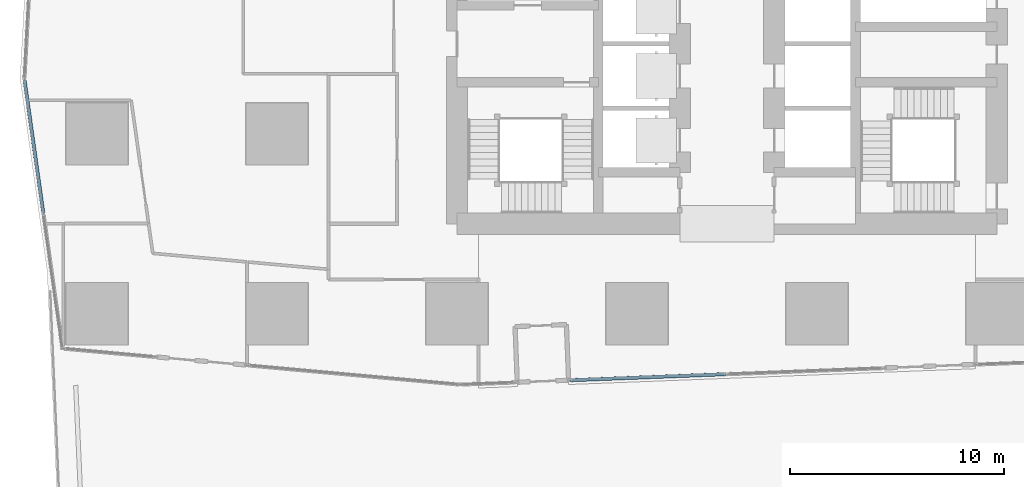
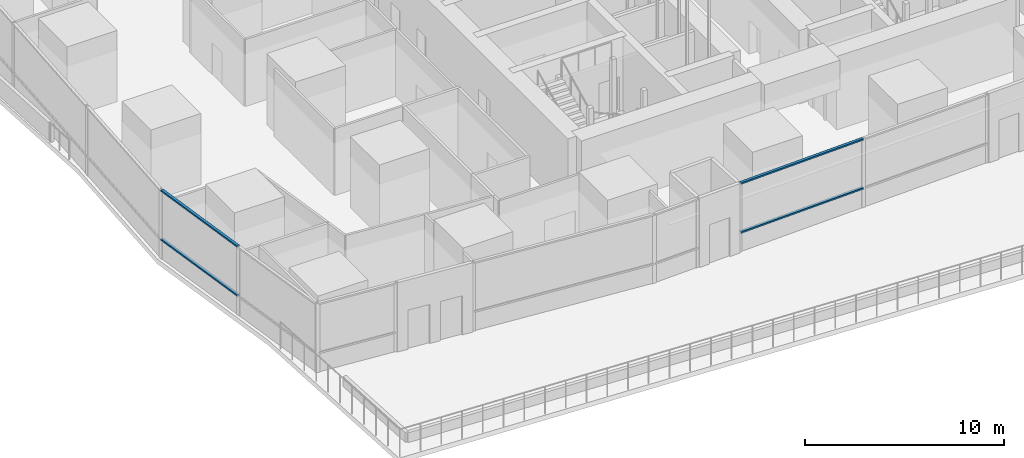
# One storey, part 4 of 44: 4 members, 2 elements without a shape of their own.
"""IFC4 building model written with IfcOpenShell, lengths in metres."""

from ifc_helpers import new_model, si_unit, direction, frame, origin, origin_2d, place, context, subcontext, project, spatial, hollow_rectangle, extrude, material, material_profile, profile_set, type_object, element, aggregate, save


model = new_model("IFC4")

# Units and contexts
model_context = context("Model", 3, precision=1e-05, world=origin(), true_north=direction((0.0, 1.0)))
body_context = subcontext(model_context, "Body", "Model", "MODEL_VIEW")
ifc_project = project(units=[si_unit("LENGTHUNIT", "METRE"), si_unit("AREAUNIT", "SQUARE_METRE"), si_unit("VOLUMEUNIT", "CUBIC_METRE"), si_unit("PLANEANGLEUNIT", "RADIAN"), si_unit("MASSUNIT", "GRAM", prefix="KILO")], contexts=[model_context])

# Site, building, storey
site_placement = place(None, origin())
site = spatial("IfcSite", under=ifc_project, at=site_placement, CompositionType="ELEMENT")
building_placement = place(site_placement, origin())
building = spatial("IfcBuilding", under=site, at=building_placement, Name="Rekha Terrace Tower", CompositionType="ELEMENT")
storey_placement = place(building_placement, frame((0.0, 0.0, 90.800048828125)))
storey = spatial("IfcBuildingStorey", under=building, at=storey_placement, Name="L22", CompositionType="ELEMENT", Elevation=90.800048828125)

# Curtain wall, members
ifc_material_1 = material(Name="Aluminium framing", Category="aluminium")
curtain_wall_type = type_object("IfcCurtainWallType", Name="CW5 sky garden glazing", PredefinedType="USERDEFINED", material=ifc_material_1)
curtain_wall_1_placement = place(storey_placement, origin())
curtain_wall_1 = element("IfcCurtainWall", 1, at=curtain_wall_1_placement, inside=storey, type_object=curtain_wall_type, Name="CW5 sky garden curtain wall", ObjectType="SKY GARDEN CURTAIN WALL", PredefinedType="USERDEFINED")
ifc_material_2 = material(Name="Aluminium transom section", Category="aluminium")
ifc_material_profile = material_profile(ifc_material_2, hollow_rectangle(XDim=0.159912109375, YDim=0.090087890625, WallThickness=0.0029296875, at=origin_2d()), Name="AL RHS 160x90")
ifc_profile_set = profile_set([ifc_material_profile], Name="Aluminium transom section")
member_type = type_object("IfcMemberType", Name="CW5 transom RHS 90 x 160", PredefinedType="USERDEFINED", material=ifc_profile_set)
member_1_placement = place(storey_placement, frame((30.498291015625, 13.70166015625, 1.199951171875), z_axis=(0.999242953426, 0.038903984737, 0.0), x_axis=(-0.038903984737, 0.999242953426, 0.0)))
member_1 = element("IfcMember", 2, at=member_1_placement, type_object=member_type, Name="CW5 transom 1.2", ObjectType="TRANSOM", PredefinedType="USERDEFINED", context=body_context, shape_type="SweptSolid", body=[
    extrude(hollow_rectangle(XDim=0.159912109375, YDim=0.090087890625, WallThickness=0.0029296875, at=origin_2d()), origin(), (0.0, 0.0, 1.0), 7.248046875),
])
member_2_placement = place(storey_placement, frame((30.498291015625, 13.70166015625, 4.204833984375), z_axis=(0.999242953426, 0.038903984737, 0.0), x_axis=(-0.038903984737, 0.999242953426, 0.0)))
member_2 = element("IfcMember", 3, at=member_2_placement, type_object=member_type, Name="CW5 transom 1.3", ObjectType="TRANSOM", PredefinedType="USERDEFINED", context=body_context, shape_type="SweptSolid", body=[
    extrude(hollow_rectangle(XDim=0.159912109375, YDim=0.090087890625, WallThickness=0.0029296875, at=origin_2d()), origin(), (0.0, 0.0, 1.0), 7.248046875),
])
aggregate(curtain_wall_1, [member_1, member_2])

curtain_wall_2_placement = place(storey_placement, origin())
curtain_wall_2 = element("IfcCurtainWall", 4, at=curtain_wall_2_placement, inside=storey, type_object=curtain_wall_type, Name="CW5 sky garden curtain wall", ObjectType="SKY GARDEN CURTAIN WALL", PredefinedType="USERDEFINED")
member_3_placement = place(storey_placement, frame((5.013427734375, 27.6875, 1.199951171875), z_axis=(0.139581213467, -0.990210626507, 0.0), x_axis=(0.990210626507, 0.139581213467, 0.0)))
member_3 = element("IfcMember", 5, at=member_3_placement, type_object=member_type, Name="CW5 transom 1.2", ObjectType="TRANSOM", PredefinedType="USERDEFINED", context=body_context, shape_type="SweptSolid", body=[
    extrude(hollow_rectangle(XDim=0.159912109375, YDim=0.090087890625, WallThickness=0.0029296875, at=origin_2d()), origin(), (0.0, 0.0, 1.0), 6.223388671875),
])
member_4_placement = place(storey_placement, frame((5.013427734375, 27.6875, 4.204833984375), z_axis=(0.139581213467, -0.990210626507, 0.0), x_axis=(0.990210626507, 0.139581213467, 0.0)))
member_4 = element("IfcMember", 6, at=member_4_placement, type_object=member_type, Name="CW5 transom 1.3", ObjectType="TRANSOM", PredefinedType="USERDEFINED", context=body_context, shape_type="SweptSolid", body=[
    extrude(hollow_rectangle(XDim=0.159912109375, YDim=0.090087890625, WallThickness=0.0029296875, at=origin_2d()), origin(), (0.0, 0.0, 1.0), 6.223388671875),
])
aggregate(curtain_wall_2, [member_3, member_4])

save(model, "model.ifc")
